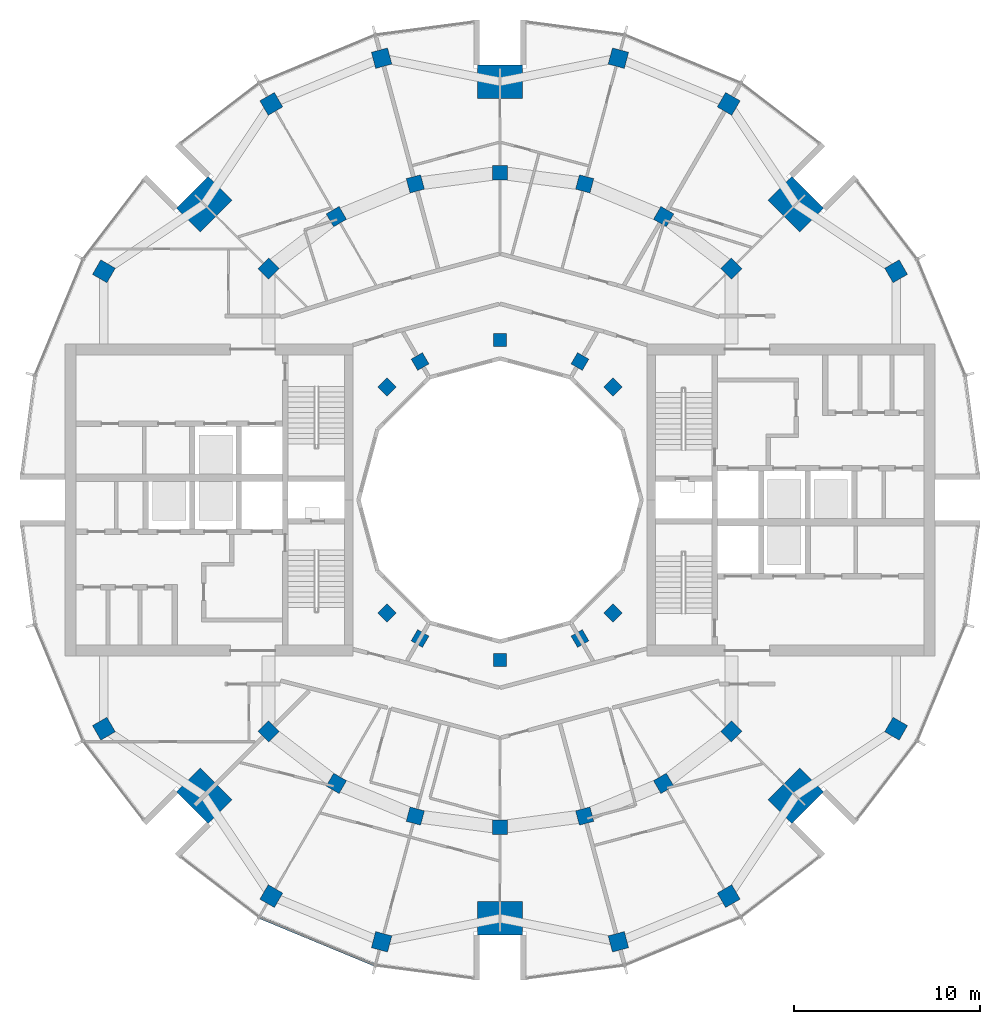
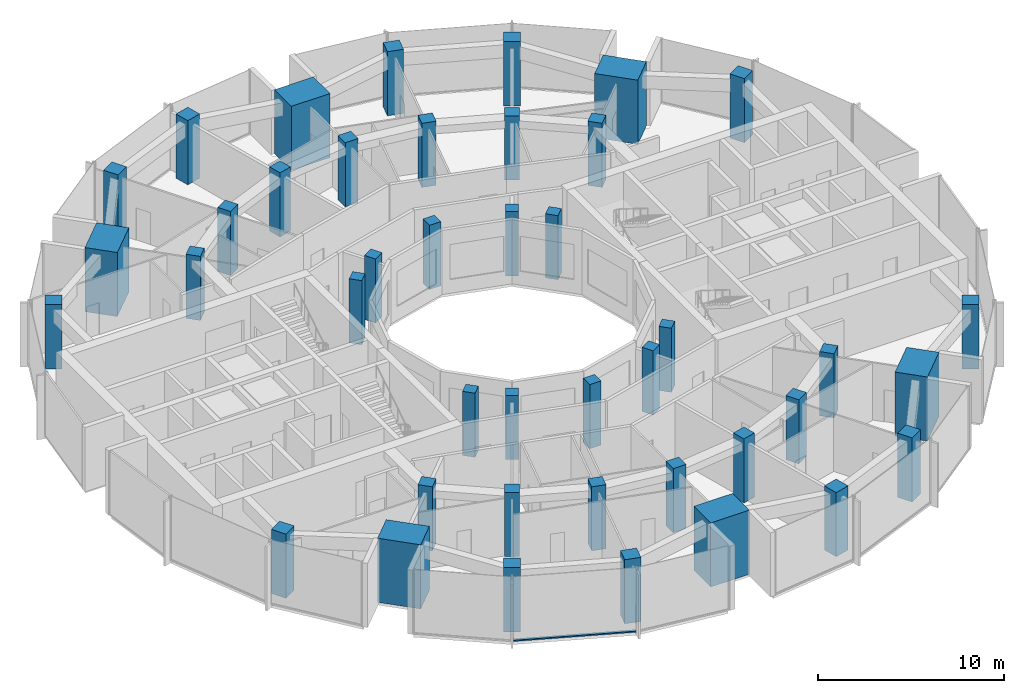
# One storey, part 1 of 15: 42 columns, 1 member, 1 element without a shape of its own.
"""IFC4 building model written with IfcOpenShell, lengths in metres."""

from ifc_helpers import new_model, si_unit, direction, frame, origin, origin_2d, place, context, subcontext, project, spatial, rectangle, extrude, material, layer, layer_set, material_profile, profile_set, type_object, element, aggregate, save


model = new_model("IFC4")

# Units and contexts
model_context = context("Model", 3, precision=1e-05, world=origin(), true_north=direction((0.0, 1.0)))
body_context = subcontext(model_context, "Body", "Model", "MODEL_VIEW")
ifc_project = project(units=[si_unit("LENGTHUNIT", "METRE"), si_unit("AREAUNIT", "SQUARE_METRE"), si_unit("VOLUMEUNIT", "CUBIC_METRE"), si_unit("PLANEANGLEUNIT", "RADIAN"), si_unit("MASSUNIT", "GRAM", prefix="KILO")], contexts=[model_context])

# Site, building, storey
site_placement = place(None, origin())
site = spatial("IfcSite", under=ifc_project, at=site_placement, CompositionType="ELEMENT")
building_placement = place(site_placement, origin())
building = spatial("IfcBuilding", under=site, at=building_placement, Name="Torre Brocal", CompositionType="ELEMENT")
storey_placement = place(building_placement, frame((0.0, 0.0, 254.10009765625)))
storey = spatial("IfcBuildingStorey", under=building, at=storey_placement, Name="L58", CompositionType="ELEMENT", Elevation=254.10009765625)

# Columns
ifc_material_1 = material(Name="Concrete C60", Category="concrete")
ifc_material_profile_1 = material_profile(ifc_material_1, rectangle(XDim=1.800048828125, YDim=2.39990234375, at=origin_2d()), Name="RC 1800X2400")
ifc_profile_set_1 = profile_set([ifc_material_profile_1], Name="Concrete C60")
column_type_1 = type_object("IfcColumnType", Name="RC COLUMN 1800X2400 C60", PredefinedType="COLUMN", material=ifc_profile_set_1)
for number, where, z_axis, x_axis, name in (
    (1, (95.909912109375, 90.909912109375, 0.0), (0.0, 0.0, 1.0), (0.707106781187, 0.707106781187, 0.0), "Column MC-1"),
    (2, (80.0, 97.5, 0.0), (0.0, 0.0, 1.0), (0.0, 1.0, 0.0), "Column MC-2"),
    (3, (64.090087890625, 90.909912109375, 0.0), (0.0, 0.0, 1.0), (-0.707106781187, 0.707106781187, 0.0), "Column MC-3"),
    (4, (64.090087890625, 59.090087890625, 0.0), (0.0, 0.0, 1.0), (-0.707106781187, -0.707106781187, 0.0), "Column MC-5"),
    (5, (80.0, 52.5, 0.0), (0.0, 0.0, 1.0), (0.0, -1.0, 0.0), "Column MC-6"),
    (6, (95.909912109375, 59.090087890625, 0.0), (0.0, 0.0, 1.0), (0.707106781187, -0.707106781187, 0.0), "Column MC-7"),
):
    element("IfcColumn", number, at=place(storey_placement, frame(where, z_axis=z_axis, x_axis=x_axis)), inside=storey, type_object=column_type_1, Name=name, PredefinedType="COLUMN", context=body_context, shape_type="SweptSolid", body=[
        extrude(rectangle(XDim=1.800048828125, YDim=2.39990234375, at=origin_2d()), origin(), (0.0, 0.0, 1.0), 4.199951171875),
    ])
ifc_material_2 = material(Name="Concrete C60", Category="concrete")
ifc_material_profile_2 = material_profile(ifc_material_2, rectangle(XDim=0.699951171875, YDim=0.699951171875, at=origin_2d()), Name="RC 700X700")
ifc_profile_set_2 = profile_set([ifc_material_profile_2], Name="Concrete C60")
column_type_2 = type_object("IfcColumnType", Name="RC COLUMN 700X700 C60", PredefinedType="COLUMN", material=ifc_profile_set_2)
for number, where, z_axis, x_axis, name in (
    (7, (86.0810546875, 81.0810546875, 0.0), (0.0, 0.0, 1.0), (0.707106781187, 0.707106781187, 0.0), "Column C-I03"),
    (8, (84.300048828125, 82.44775390625, 0.0), (0.0, 0.0, 1.0), (0.5, 0.866025403784, 0.0), "Column C-I04"),
    (9, (80.0, 83.60009765625, 0.0), (0.0, 0.0, 1.0), (0.0, 1.0, 0.0), "Column C-I06"),
    (10, (75.699951171875, 82.44775390625, 0.0), (0.0, 0.0, 1.0), (-0.5, 0.866025403784, 0.0), "Column C-I08"),
    (11, (73.9189453125, 81.0810546875, 0.0), (0.0, 0.0, 1.0), (-0.707106781187, 0.707106781187, 0.0), "Column C-I09"),
    (12, (73.9189453125, 68.9189453125, 0.0), (0.0, 0.0, 1.0), (-0.707106781187, -0.707106781187, 0.0), "Column C-I15"),
    (13, (75.699951171875, 67.55224609375, 0.0), (0.0, 0.0, 1.0), (-0.5, -0.866025403784, 0.0), "Column C-I16"),
    (14, (80.0, 66.39990234375, 0.0), (0.0, 0.0, 1.0), (0.0, -1.0, 0.0), "Column C-I18"),
    (15, (84.300048828125, 67.55224609375, 0.0), (0.0, 0.0, 1.0), (0.5, -0.866025403784, 0.0), "Column C-I20"),
    (16, (86.0810546875, 68.9189453125, 0.0), (0.0, 0.0, 1.0), (0.707106781187, -0.707106781187, 0.0), "Column C-I21"),
):
    element("IfcColumn", number, at=place(storey_placement, frame(where, z_axis=z_axis, x_axis=x_axis)), inside=storey, type_object=column_type_2, Name=name, PredefinedType="COLUMN", context=body_context, shape_type="SweptSolid", body=[
        extrude(rectangle(XDim=0.699951171875, YDim=0.699951171875, at=origin_2d()), origin(), (0.0, 0.0, 1.0), 4.199951171875),
    ])
ifc_material_3 = material(Name="Concrete C60", Category="concrete")
ifc_material_profile_3 = material_profile(ifc_material_3, rectangle(XDim=0.800048828125, YDim=0.800048828125, at=origin_2d()), Name="RC 800X800")
ifc_profile_set_3 = profile_set([ifc_material_profile_3], Name="Concrete C60")
column_type_3 = type_object("IfcColumnType", Name="RC COLUMN 800X800 C60", PredefinedType="COLUMN", material=ifc_profile_set_3)
for number, where, z_axis, x_axis, name in (
    (17, (92.445068359375, 87.445068359375, 0.0), (0.0, 0.0, 1.0), (0.707106781187, 0.707106781187, 0.0), "Column C-M03"),
    (18, (88.800048828125, 90.241943359375, 0.0), (0.0, 0.0, 1.0), (0.5, 0.866025403784, 0.0), "Column C-M04"),
    (19, (84.55517578125, 92.000244140625, 0.0), (0.0, 0.0, 1.0), (0.258819045103, 0.965925826289, 0.0), "Column C-M05"),
    (20, (80.0, 92.60009765625, 0.0), (0.0, 0.0, 1.0), (0.0, 1.0, 0.0), "Column C-M06"),
    (21, (75.44482421875, 92.000244140625, 0.0), (0.0, 0.0, 1.0), (-0.258819045103, 0.965925826289, 0.0), "Column C-M07"),
    (22, (71.199951171875, 90.241943359375, 0.0), (0.0, 0.0, 1.0), (-0.5, 0.866025403784, 0.0), "Column C-M08"),
    (23, (67.554931640625, 87.445068359375, 0.0), (0.0, 0.0, 1.0), (-0.707106781187, 0.707106781187, 0.0), "Column C-M09"),
    (24, (67.554931640625, 62.554931640625, 0.0), (0.0, 0.0, 1.0), (-0.707106781187, -0.707106781187, 0.0), "Column C-M15"),
    (25, (71.199951171875, 59.758056640625, 0.0), (0.0, 0.0, 1.0), (-0.5, -0.866025403784, 0.0), "Column C-M16"),
    (26, (75.44482421875, 57.999755859375, 0.0), (0.0, 0.0, 1.0), (-0.258819045103, -0.965925826289, 0.0), "Column C-M17"),
    (27, (80.0, 57.39990234375, 0.0), (0.0, 0.0, 1.0), (0.0, -1.0, 0.0), "Column C-M18"),
    (28, (84.55517578125, 57.999755859375, 0.0), (0.0, 0.0, 1.0), (0.258819045103, -0.965925826289, 0.0), "Column C-M19"),
    (29, (88.800048828125, 59.758056640625, 0.0), (0.0, 0.0, 1.0), (0.5, -0.866025403784, 0.0), "Column C-M20"),
    (30, (92.445068359375, 62.554931640625, 0.0), (0.0, 0.0, 1.0), (0.707106781187, -0.707106781187, 0.0), "Column C-M21"),
):
    element("IfcColumn", number, at=place(storey_placement, frame(where, z_axis=z_axis, x_axis=x_axis)), inside=storey, type_object=column_type_3, Name=name, PredefinedType="COLUMN", context=body_context, shape_type="SweptSolid", body=[
        extrude(rectangle(XDim=0.800048828125, YDim=0.800048828125, at=origin_2d()), origin(), (0.0, 0.0, 1.0), 4.199951171875),
    ])
ifc_material_4 = material(Name="Concrete C60", Category="concrete")
ifc_material_profile_4 = material_profile(ifc_material_4, rectangle(XDim=0.89990234375, YDim=0.89990234375, at=origin_2d()), Name="RC 900X900")
ifc_profile_set_4 = profile_set([ifc_material_profile_4], Name="Concrete C60")
column_type_4 = type_object("IfcColumnType", Name="RC COLUMN 900X900 C60", PredefinedType="COLUMN", material=ifc_profile_set_4)
for number, where, z_axis, x_axis, name in (
    (31, (101.30419921875, 87.300048828125, 0.0), (0.0, 0.0, 1.0), (0.866025403784, 0.5, 0.0), "Column C-O02"),
    (32, (92.300048828125, 96.30419921875, 0.0), (0.0, 0.0, 1.0), (0.5, 0.866025403784, 0.0), "Column C-O04"),
    (33, (86.366943359375, 98.76171875, 0.0), (0.0, 0.0, 1.0), (0.258819045103, 0.965925826289, 0.0), "Column C-O05"),
    (34, (73.633056640625, 98.76171875, 0.0), (0.0, 0.0, 1.0), (-0.258819045103, 0.965925826289, 0.0), "Column C-O07"),
    (35, (67.699951171875, 96.30419921875, 0.0), (0.0, 0.0, 1.0), (-0.5, 0.866025403784, 0.0), "Column C-O08"),
    (36, (58.69580078125, 87.300048828125, 0.0), (0.0, 0.0, 1.0), (-0.866025403784, 0.5, 0.0), "Column C-O10"),
    (37, (58.69580078125, 62.699951171875, 0.0), (0.0, 0.0, 1.0), (-0.866025403784, -0.5, 0.0), "Column C-O14"),
    (38, (67.699951171875, 53.69580078125, 0.0), (0.0, 0.0, 1.0), (-0.5, -0.866025403784, 0.0), "Column C-O16"),
    (39, (73.633056640625, 51.23828125, 0.0), (0.0, 0.0, 1.0), (-0.258819045103, -0.965925826289, 0.0), "Column C-O17"),
    (40, (86.366943359375, 51.23828125, 0.0), (0.0, 0.0, 1.0), (0.258819045103, -0.965925826289, 0.0), "Column C-O19"),
    (41, (92.300048828125, 53.69580078125, 0.0), (0.0, 0.0, 1.0), (0.5, -0.866025403784, 0.0), "Column C-O20"),
    (42, (101.30419921875, 62.699951171875, 0.0), (0.0, 0.0, 1.0), (0.866025403784, -0.5, 0.0), "Column C-O22"),
):
    element("IfcColumn", number, at=place(storey_placement, frame(where, z_axis=z_axis, x_axis=x_axis)), inside=storey, type_object=column_type_4, Name=name, PredefinedType="COLUMN", context=body_context, shape_type="SweptSolid", body=[
        extrude(rectangle(XDim=0.89990234375, YDim=0.89990234375, at=origin_2d()), origin(), (0.0, 0.0, 1.0), 4.199951171875),
    ])

# Curtain wall, member
ifc_material_5 = material(Name="Aluminium and glass", Category="aluminium")
ifc_layer = layer(ifc_material_5, 0.199951171875)
ifc_layer_set = layer_set([ifc_layer], Name="Aluminium and glass")
curtain_wall_type = type_object("IfcCurtainWallType", Name="CW-1 CURTAIN WALL 4200 HIGH", PredefinedType="NOTDEFINED", material=ifc_layer_set)
curtain_wall_placement = place(storey_placement, origin())
curtain_wall = element("IfcCurtainWall", 43, at=curtain_wall_placement, inside=storey, type_object=curtain_wall_type, Name="CW-1 RUN 17", PredefinedType="NOTDEFINED")
ifc_material_6 = material(Name="Aluminium, dark anodised", Category="aluminium")
ifc_material_profile_5 = material_profile(ifc_material_6, rectangle(XDim=0.159912109375, YDim=0.080078125, at=origin_2d()), Name="CW-1 TRANSOM 160X80")
ifc_profile_set_5 = profile_set([ifc_material_profile_5], Name="Aluminium, dark anodised")
member_type = type_object("IfcMemberType", Name="CW-1 TRANSOM 160X80", PredefinedType="USERDEFINED", material=ifc_profile_set_5)
member_placement = place(storey_placement, frame((67.10595703125, 52.547607421875, 0.039794921875), z_axis=(0.923887344364, -0.38266457234, 0.0), x_axis=(0.38266457234, 0.923887344364, 0.0)))
member = element("IfcMember", 44, at=member_placement, type_object=member_type, Name="CW1-5 transom 1.1", ObjectType="TRANSOM", PredefinedType="USERDEFINED", context=body_context, shape_type="SweptSolid", body=[
    extrude(rectangle(XDim=0.159912109375, YDim=0.080078125, at=origin_2d()), origin(), (0.0, 0.0, 1.0), 6.640869140625),
])
aggregate(curtain_wall, [member])

save(model, "model.ifc")
